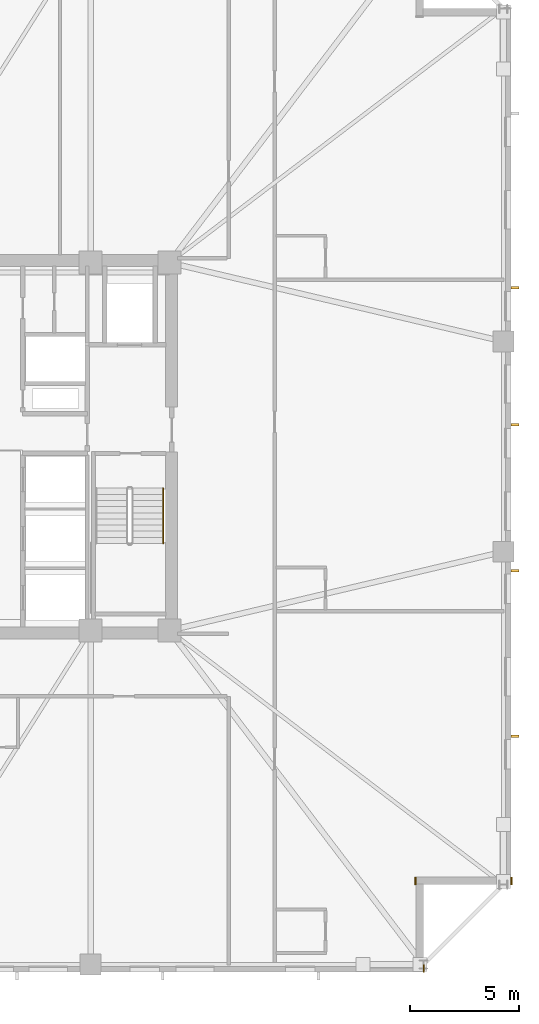
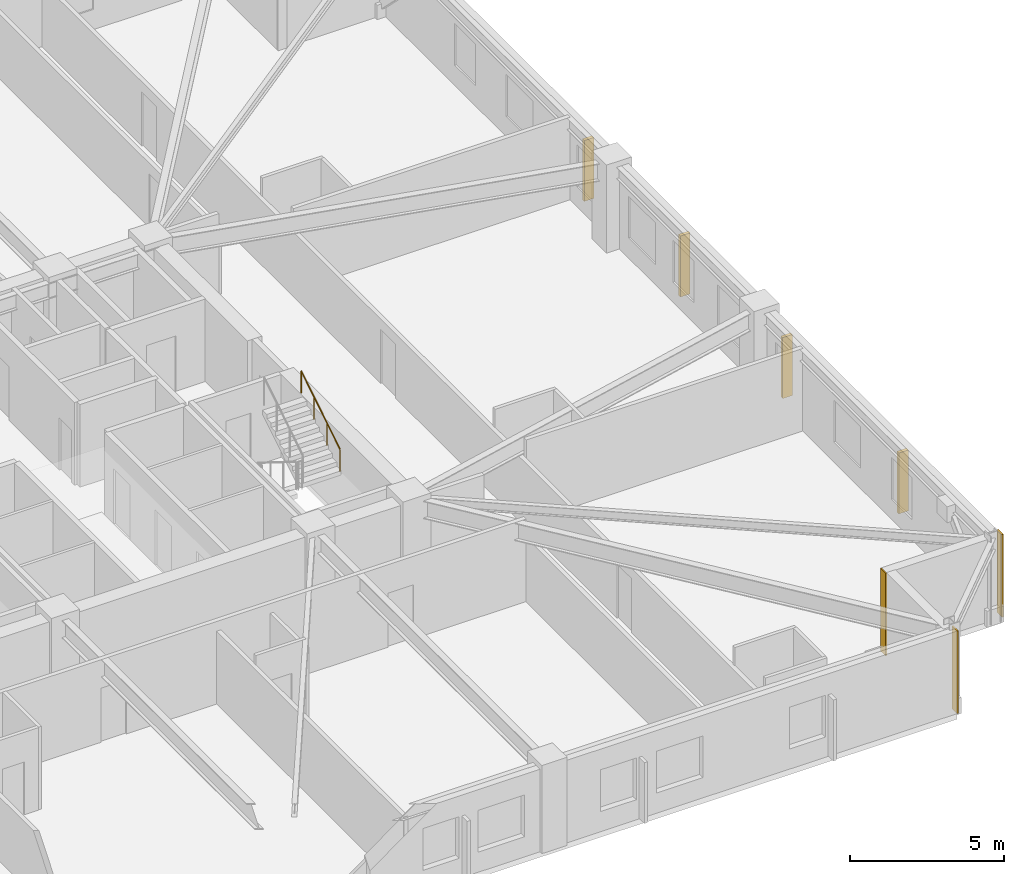
# One storey, part 9 of 11: 4 shading devices, 3 coverings, 1 railing.
"""IFC4 building model written with IfcOpenShell, lengths in metres."""

from ifc_helpers import new_model, si_unit, direction, frame, frame_2d, origin, origin_2d, place, context, subcontext, project, spatial, rectangle, circle, extrude, material, layer, layer_set, type_object, element, save


model = new_model("IFC4")

# Units and contexts
model_context = context("Model", 3, precision=1e-05, world=origin(), true_north=direction((0.0, 1.0)))
body_context = subcontext(model_context, "Body", "Model", "MODEL_VIEW")
ifc_project = project(units=[si_unit("LENGTHUNIT", "METRE"), si_unit("AREAUNIT", "SQUARE_METRE"), si_unit("VOLUMEUNIT", "CUBIC_METRE"), si_unit("PLANEANGLEUNIT", "RADIAN"), si_unit("MASSUNIT", "GRAM", prefix="KILO")], contexts=[model_context])

# Site, building, storey
site_placement = place(None, origin())
site = spatial("IfcSite", under=ifc_project, at=site_placement, CompositionType="ELEMENT")
building_placement = place(site_placement, origin())
building = spatial("IfcBuilding", under=site, at=building_placement, Name="Cairnveth Concourse Tower", CompositionType="ELEMENT")
storey_placement = place(building_placement, frame((0.0, 0.0, 106.0)))
storey = spatial("IfcBuildingStorey", under=building, at=storey_placement, Name="L28", CompositionType="ELEMENT", Elevation=106.0)

# Coverings
ifc_material_1 = material(Name="Dressed Melbourne Bluestone Cladding", Category="masonry")
ifc_layer = layer(ifc_material_1, 0.050048828125)
ifc_layer_set = layer_set([ifc_layer], Name="Dressed Melbourne Bluestone Cladding")
covering_type = type_object("IfcCoveringType", Name="DRESSED BLUESTONE PLINTH CLADDING 50", PredefinedType="CLADDING", material=ifc_layer_set)
for number, where, z_axis, x_axis, name in (
    (1, (76.02001953125, 19.340087890625, 0.0), (0.0, 0.0, 1.0), (0.0, -1.0, 0.0), "Melbourne Bluestone Corner Quoin L28-391"),
    (2, (71.639892578125, 19.340087890625, 0.0), (0.0, 0.0, 1.0), (0.0, -1.0, 0.0), "Melbourne Bluestone Corner Quoin L28-392"),
    (3, (72.02001953125, 15.340087890625, 0.0), (0.0, 0.0, 1.0), (0.0, -1.0, 0.0), "Melbourne Bluestone Corner Quoin L28-393"),
):
    element("IfcCovering", number, at=place(storey_placement, frame(where, z_axis=z_axis, x_axis=x_axis)), inside=storey, type_object=covering_type, Name=name, PredefinedType="CLADDING", context=body_context, shape_type="SweptSolid", body=[
        extrude(rectangle(XDim=0.340087890625, YDim=0.050048828125, at=frame_2d((0.169921875, 0.0))), origin(), (0.0, 0.0, 1.0), 3.280029296875),
    ])

# Shading devices
ifc_material_2 = material(Name="Architectural Bronze Anodised Aluminium 6063-T6", Category="aluminium")
shading_device_type = type_object("IfcShadingDeviceType", Name="GOTHIC BRONZE VERTICAL LANCET FIN", PredefinedType="USERDEFINED", material=ifc_material_2)
for number, where, z_axis, x_axis, name in (
    (4, (76.175048828125, 46.251220703125, 0.030029296875), (0.0, 0.0, 1.0), (0.0, 1.0, 0.0), "Gothic Bronze Vertical Fin L28-3-3"),
    (5, (76.175048828125, 39.993896484375, 0.030029296875), (0.0, 0.0, 1.0), (0.0, 1.0, 0.0), "Gothic Bronze Vertical Fin L28-3-5"),
    (6, (76.175048828125, 33.3369140625, 0.030029296875), (0.0, 0.0, 1.0), (0.0, 1.0, 0.0), "Gothic Bronze Vertical Fin L28-3-7"),
    (7, (76.175048828125, 25.77978515625, 0.030029296875), (0.0, 0.0, 1.0), (0.0, 1.0, 0.0), "Gothic Bronze Vertical Fin L28-3-9"),
):
    element("IfcShadingDevice", number, at=place(storey_placement, frame(where, z_axis=z_axis, x_axis=x_axis)), inside=storey, type_object=shading_device_type, Name=name, ObjectType="VERTICAL FIN", PredefinedType="USERDEFINED", context=body_context, shape_type="SweptSolid", body=[
        extrude(rectangle(XDim=0.1201171875, YDim=0.360107421875, at=origin_2d()), origin(), (0.0, 0.0, 1.0), 2.419921875),
    ])

# Railing
ifc_material_3 = material(Name="Steel Grade 350", Category="steel")
railing_type = type_object("IfcRailingType", Name="STAIR WALL HANDRAIL 900", PredefinedType="HANDRAIL", material=ifc_material_3)
railing_placement = place(storey_placement, frame((60.110107421875, 34.580078125, 1.925048828125)))
element("IfcRailing", 8, at=railing_placement, inside=storey, type_object=railing_type, Name="L28 ST-2 stair handrail 2", PredefinedType="HANDRAIL", context=body_context, shape_type="SweptSolid", body=[
    extrude(circle(Radius=0.02392578125, at=origin_2d()), frame((0.0, 0.0, 0.8759765625), z_axis=(0.0, 0.848007534815, 0.529984170421), x_axis=(-1.0, 0.0, 0.0)), (0.0, 0.0, 1.0), 2.9716796875),
    extrude(circle(Radius=0.02099609375, at=origin_2d()), origin(), (0.0, 0.0, 1.0), 0.851806640625),
    extrude(circle(Radius=0.02099609375, at=origin_2d()), frame((0.0, 0.840087890625, 0.52490234375)), (0.0, 0.0, 1.0), 0.851806640625),
    extrude(circle(Radius=0.02099609375, at=origin_2d()), frame((0.0, 1.679931640625, 1.050048828125)), (0.0, 0.0, 1.0), 0.851806640625),
    extrude(circle(Radius=0.02099609375, at=origin_2d()), frame((0.0, 2.52001953125, 1.574951171875)), (0.0, 0.0, 1.0), 0.851806640625),
])

save(model, "model.ifc")
